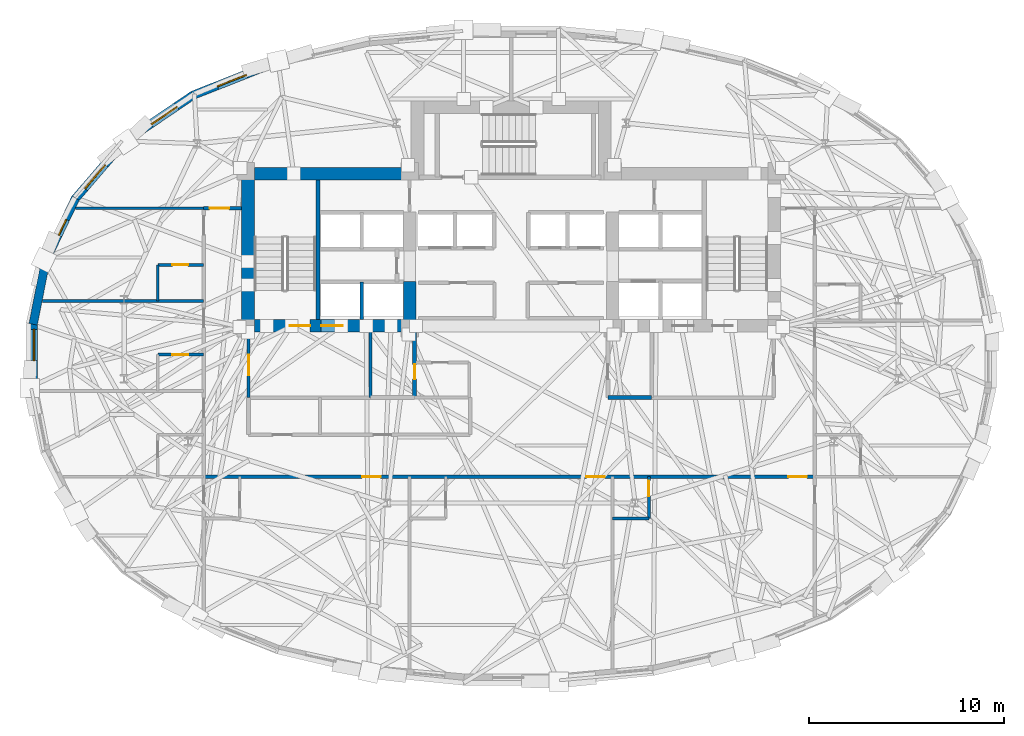
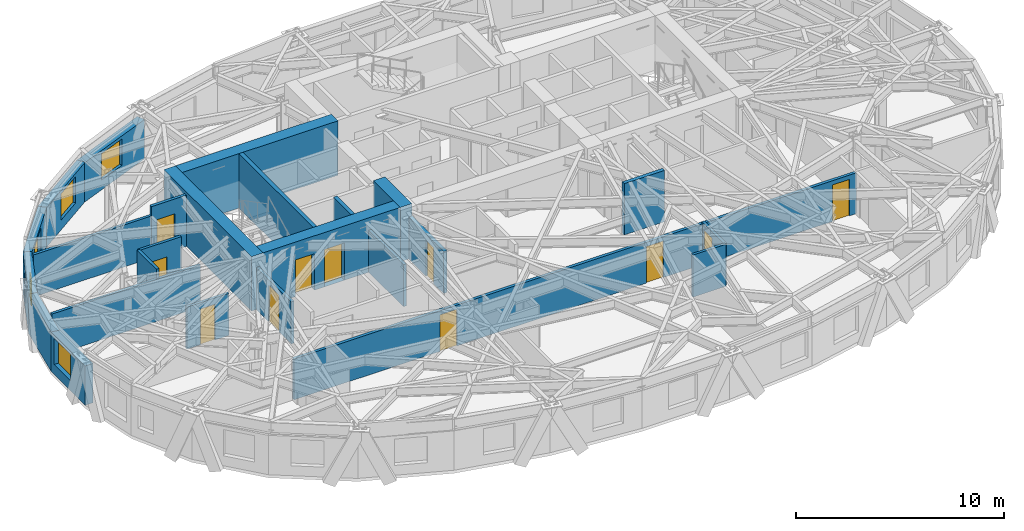
# One storey, part 7 of 14: 25 walls, 11 doors, 5 windows, 16 openings.
"""IFC4 building model written with IfcOpenShell, lengths in metres."""

from ifc_helpers import new_model, si_unit, direction, frame, frame_2d, origin, place, context, subcontext, project, spatial, rectangle, extrude, material, layer, layer_set, type_object, element, fill, save


model = new_model("IFC4")

# Units and contexts
model_context = context("Model", 3, precision=1e-05, world=origin(), true_north=direction((0.0, 1.0)))
body_context = subcontext(model_context, "Body", "Model", "MODEL_VIEW")
ifc_project = project(units=[si_unit("LENGTHUNIT", "METRE"), si_unit("AREAUNIT", "SQUARE_METRE"), si_unit("VOLUMEUNIT", "CUBIC_METRE"), si_unit("PLANEANGLEUNIT", "RADIAN"), si_unit("MASSUNIT", "GRAM", prefix="KILO")], contexts=[model_context])

# Site, building, storey
site_placement = place(None, origin())
site = spatial("IfcSite", under=ifc_project, at=site_placement, CompositionType="ELEMENT")
building_placement = place(site_placement, origin())
building = spatial("IfcBuilding", under=site, at=building_placement, Name="Keldmark Tower", CompositionType="ELEMENT")
storey_placement = place(building_placement, frame((0.0, 0.0, 153.39990234375)))
storey = spatial("IfcBuildingStorey", under=building, at=storey_placement, Name="L41", CompositionType="ELEMENT", Elevation=153.39990234375)

# Wall, opening, door
ifc_material_1 = material(Name="Type X Fire-Rated Gypsum Partition Assembly", Category="gypsum")
ifc_layer_1 = layer(ifc_material_1, 0.1650390625)
ifc_layer_set_1 = layer_set([ifc_layer_1], Name="Type X Fire-Rated Gypsum Partition Assembly")
wall_type_1 = type_object("IfcWallType", Name="Rated Partition 165 mm", PredefinedType="PARTITIONING", material=ifc_layer_set_1)
wall_1_placement = place(storey_placement, frame((-13.449951171875, -2.14990234375, 0.0), z_axis=(0.0, 0.0, 1.0), x_axis=(0.0, 1.0, 0.0)))
wall_1 = element("IfcWall", 1, at=wall_1_placement, inside=storey, type_object=wall_type_1, Name="L41 Rated Partition 165 mm FSAE-W-W", PredefinedType="PARTITIONING", context=body_context, shape_type="SweptSolid", body=[
    extrude(rectangle(XDim=3.39990234375, YDim=0.1650390625, at=frame_2d((1.699951171875, 0.0))), origin(), (0.0, 0.0, 1.0), 2.47314453125),
])
opening_1_placement = place(wall_1_placement, frame((1.14990234375, 0.0, 0.0)))
opening_1 = element("IfcOpeningElement", 2, at=opening_1_placement, cuts=wall_1, Name="Opening D-FL105", PredefinedType="OPENING", context=body_context, shape_type="SweptSolid", body=[
    extrude(rectangle(XDim=1.050048828125, YDim=2.14990234375, at=frame_2d((0.52490234375, 1.074951171875))), frame((0.0, 0.092529296875, 0.0), z_axis=(0.0, -1.0, 0.0), x_axis=(1.0, 0.0, 0.0)), (0.0, 0.0, 1.0), 0.18505859375),
])
ifc_material_2 = material(Name="Fire-Rated Mineral-Core Door and Vision Lite", Category="metal")
door_type_1 = type_object("IfcDoorType", Name="Fire Lobby Door 1050x2150", OperationType="NOTDEFINED", PredefinedType="DOOR", material=ifc_material_2)
door_1_placement = place(opening_1_placement, origin())
door_1 = element("IfcDoor", 3, at=door_1_placement, inside=storey, type_object=door_type_1, Name="L41 Fire Lobby Door 1050x2150 D-FSAEW-OUT-L41", OperationType="SINGLE_SWING_LEFT", OverallHeight=2.14990234375, OverallWidth=1.050048828125, PredefinedType="DOOR", context=body_context, shape_type="SweptSolid", body=[
    extrude(rectangle(XDim=1.050048828125, YDim=2.14990234375, at=frame_2d((0.52490234375, 1.074951171875))), frame((0.0, 0.02490234375, 0.0), z_axis=(0.0, -1.0, 0.0), x_axis=(1.0, 0.0, 0.0)), (0.0, 0.0, 1.0), 0.050048828125),
])
fill(opening_1, door_1)

# Wall
wall_2_placement = place(storey_placement, frame((-7.199951171875, -2.14990234375, 0.0), z_axis=(0.0, 0.0, 1.0), x_axis=(0.0, 1.0, 0.0)))
element("IfcWall", 4, at=wall_2_placement, inside=storey, type_object=wall_type_1, Name="L41 Rated Partition 165 mm FSAE-W-E", PredefinedType="PARTITIONING", context=body_context, shape_type="SweptSolid", body=[
    extrude(rectangle(XDim=3.39990234375, YDim=0.1650390625, at=frame_2d((1.699951171875, 0.0))), origin(), (0.0, 0.0, 1.0), 2.47314453125),
])

# Wall, openings, doors
wall_3_placement = place(storey_placement, frame((-15.75, -6.199951171875, 0.0), z_axis=(0.0, 0.0, 1.0), x_axis=(1.0, 0.0, 0.0)))
wall_3 = element("IfcWall", 5, at=wall_3_placement, inside=storey, type_object=wall_type_1, Name="L41 Rated Partition 165 mm HCOR-S", PredefinedType="PARTITIONING", context=body_context, shape_type="SweptSolid", body=[
    extrude(rectangle(XDim=31.300048828125, YDim=0.1650390625, at=frame_2d((15.64990234375, 0.0))), origin(), (0.0, 0.0, 1.0), 2.398193359375),
])
opening_2_placement = place(wall_3_placement, frame((8.1201171875, 0.0, 0.0)))
opening_2 = element("IfcOpeningElement", 6, at=opening_2_placement, cuts=wall_3, Name="Opening D-HT095", PredefinedType="OPENING", context=body_context, shape_type="SweptSolid", body=[
    extrude(rectangle(XDim=0.949951171875, YDim=2.14990234375, at=frame_2d((0.47509765625, 1.074951171875))), frame((0.0, 0.092529296875, 0.0), z_axis=(0.0, -1.0, 0.0), x_axis=(1.0, 0.0, 0.0)), (0.0, 0.0, 1.0), 0.18505859375),
])
opening_3_placement = place(wall_3_placement, frame((19.60009765625, 0.0, 0.0)))
opening_3 = element("IfcOpeningElement", 7, at=opening_3_placement, cuts=wall_3, Name="Opening D-HT095", PredefinedType="OPENING", context=body_context, shape_type="SweptSolid", body=[
    extrude(rectangle(XDim=0.949951171875, YDim=2.14990234375, at=frame_2d((0.47509765625, 1.074951171875))), frame((0.0, 0.092529296875, 0.0), z_axis=(0.0, -1.0, 0.0), x_axis=(1.0, 0.0, 0.0)), (0.0, 0.0, 1.0), 0.18505859375),
])
opening_4_placement = place(wall_3_placement, frame((29.949951171875, 0.0, 0.0)))
opening_4 = element("IfcOpeningElement", 8, at=opening_4_placement, cuts=wall_3, Name="Opening D-HT095", PredefinedType="OPENING", context=body_context, shape_type="SweptSolid", body=[
    extrude(rectangle(XDim=0.949951171875, YDim=2.14990234375, at=frame_2d((0.47509765625, 1.074951171875))), frame((0.0, 0.092529296875, 0.0), z_axis=(0.0, -1.0, 0.0), x_axis=(1.0, 0.0, 0.0)), (0.0, 0.0, 1.0), 0.18505859375),
])
ifc_material_3 = material(Name="Solid-Core Acoustic White Oak Fire-Rated Assembly", Category="wood")
door_type_2 = type_object("IfcDoorType", Name="Hotel Entry Door 950x2150", OperationType="NOTDEFINED", PredefinedType="DOOR", material=ifc_material_3)
door_2_placement = place(opening_2_placement, origin())
door_2 = element("IfcDoor", 9, at=door_2_placement, inside=storey, type_object=door_type_2, Name="L41 Hotel Entry Door 950x2150 D-HRS1-L41", OperationType="SINGLE_SWING_RIGHT", OverallHeight=2.14990234375, OverallWidth=0.949951171875, PredefinedType="DOOR", context=body_context, shape_type="SweptSolid", body=[
    extrude(rectangle(XDim=0.949951171875, YDim=2.14990234375, at=frame_2d((0.47509765625, 1.074951171875))), frame((0.0, 0.02490234375, 0.0), z_axis=(0.0, -1.0, 0.0), x_axis=(1.0, 0.0, 0.0)), (0.0, 0.0, 1.0), 0.050048828125),
])
fill(opening_2, door_2)
door_3_placement = place(opening_3_placement, origin())
door_3 = element("IfcDoor", 10, at=door_3_placement, inside=storey, type_object=door_type_2, Name="L41 Hotel Entry Door 950x2150 D-HRS2-L41", OperationType="SINGLE_SWING_LEFT", OverallHeight=2.14990234375, OverallWidth=0.949951171875, PredefinedType="DOOR", context=body_context, shape_type="SweptSolid", body=[
    extrude(rectangle(XDim=0.949951171875, YDim=2.14990234375, at=frame_2d((0.47509765625, 1.074951171875))), frame((0.0, 0.02490234375, 0.0), z_axis=(0.0, -1.0, 0.0), x_axis=(1.0, 0.0, 0.0)), (0.0, 0.0, 1.0), 0.050048828125),
])
fill(opening_3, door_3)
door_4_placement = place(opening_4_placement, origin())
door_4 = element("IfcDoor", 11, at=door_4_placement, inside=storey, type_object=door_type_2, Name="L41 Hotel Entry Door 950x2150 D-HRS3-L41", OperationType="SINGLE_SWING_RIGHT", OverallHeight=2.14990234375, OverallWidth=0.949951171875, PredefinedType="DOOR", context=body_context, shape_type="SweptSolid", body=[
    extrude(rectangle(XDim=0.949951171875, YDim=2.14990234375, at=frame_2d((0.47509765625, 1.074951171875))), frame((0.0, 0.02490234375, 0.0), z_axis=(0.0, -1.0, 0.0), x_axis=(1.0, 0.0, 0.0)), (0.0, 0.0, 1.0), 0.050048828125),
])
fill(opening_4, door_4)

# Wall, opening, door
wall_4_placement = place(storey_placement, frame((-15.75, 7.550048828125, 0.0), z_axis=(0.0, 0.0, 1.0), x_axis=(1.0, 0.0, 0.0)))
wall_4 = element("IfcWall", 12, at=wall_4_placement, inside=storey, type_object=wall_type_1, Name="L41 Rated Partition 165 mm HCOR-WN", PredefinedType="PARTITIONING", context=body_context, shape_type="SweptSolid", body=[
    extrude(rectangle(XDim=1.949951171875, YDim=0.1650390625, at=frame_2d((0.97509765625, 0.0))), origin(), (0.0, 0.0, 1.0), 3.02001953125),
])
opening_5_placement = place(wall_4_placement, frame((0.300048828125, 0.0, 0.0)))
opening_5 = element("IfcOpeningElement", 13, at=opening_5_placement, cuts=wall_4, Name="Opening D-FD100", PredefinedType="OPENING", context=body_context, shape_type="SweptSolid", body=[
    extrude(rectangle(XDim=1.0, YDim=2.14990234375, at=frame_2d((0.5, 1.074951171875))), frame((0.0, 0.092529296875, 0.0), z_axis=(0.0, -1.0, 0.0), x_axis=(1.0, 0.0, 0.0)), (0.0, 0.0, 1.0), 0.18505859375),
])
ifc_material_4 = material(Name="Hollow Metal Fire-Rated Corridor Door", Category="metal")
door_type_3 = type_object("IfcDoorType", Name="Fire Door 1000x2150", OperationType="NOTDEFINED", PredefinedType="DOOR", material=ifc_material_4)
door_5_placement = place(opening_5_placement, origin())
door_5 = element("IfcDoor", 14, at=door_5_placement, inside=storey, type_object=door_type_3, Name="L41 Fire Door 1000x2150 D-HNNW-L41", OperationType="SINGLE_SWING_LEFT", OverallHeight=2.14990234375, OverallWidth=1.0, PredefinedType="DOOR", context=body_context, shape_type="SweptSolid", body=[
    extrude(rectangle(XDim=1.0, YDim=2.14990234375, at=frame_2d((0.5, 1.074951171875))), frame((0.0, 0.02490234375, 0.0), z_axis=(0.0, -1.0, 0.0), x_axis=(1.0, 0.0, 0.0)), (0.0, 0.0, 1.0), 0.050048828125),
])
fill(opening_5, door_5)

ifc_material_5 = material(Name="Fire-Resistant Type X Gypsum Shaftliner Coreboard", Category="gypsum")
ifc_layer_2 = layer(ifc_material_5, 0.199951171875)
ifc_layer_set_2 = layer_set([ifc_layer_2], Name="Fire-Resistant Type X Gypsum Shaftliner Coreboard")
wall_type_2 = type_object("IfcWallType", Name="Shaft Wall 200 mm", PredefinedType="SOLIDWALL", material=ifc_layer_set_2)
wall_5_placement = place(storey_placement, frame((-4.949951171875, -2.14990234375, 0.0), z_axis=(0.0, 0.0, 1.0), x_axis=(0.0, 1.0, 0.0)))
wall_5 = element("IfcWall", 15, at=wall_5_placement, inside=storey, type_object=wall_type_2, Name="L41 Shaft Wall 200 mm RIS-SW-E", PredefinedType="SOLIDWALL", context=body_context, shape_type="SweptSolid", body=[
    extrude(rectangle(XDim=3.39990234375, YDim=0.199951171875, at=frame_2d((1.699951171875, 0.0))), origin(), (0.0, 0.0, 1.0), 2.47314453125),
])
opening_6_placement = place(wall_5_placement, frame((0.949951171875, 0.0, 0.0)))
opening_6 = element("IfcOpeningElement", 16, at=opening_6_placement, cuts=wall_5, Name="Opening D-RS075", PredefinedType="OPENING", context=body_context, shape_type="SweptSolid", body=[
    extrude(rectangle(XDim=0.75, YDim=2.10009765625, at=frame_2d((0.375, 1.050048828125))), frame((0.0, 0.10986328125, 0.0), z_axis=(0.0, -1.0, 0.0), x_axis=(1.0, 0.0, 0.0)), (0.0, 0.0, 1.0), 0.219970703125),
])
ifc_material_6 = material(Name="Galvanized Fire-Rated Access Leaf", Category="metal")
door_type_4 = type_object("IfcDoorType", Name="Riser Access Door 750x2100", OperationType="NOTDEFINED", PredefinedType="DOOR", material=ifc_material_6)
door_6_placement = place(opening_6_placement, origin())
door_6 = element("IfcDoor", 17, at=door_6_placement, inside=storey, type_object=door_type_4, Name="L41 Riser Access Door 750x2100 D-RISSW-L41", OperationType="SINGLE_SWING_RIGHT", OverallHeight=2.10009765625, OverallWidth=0.75, PredefinedType="DOOR", context=body_context, shape_type="SweptSolid", body=[
    extrude(rectangle(XDim=0.75, YDim=2.10009765625, at=frame_2d((0.375, 1.050048828125))), frame((0.0, 0.02490234375, 0.0), z_axis=(0.0, -1.0, 0.0), x_axis=(1.0, 0.0, 0.0)), (0.0, 0.0, 1.0), 0.050048828125),
])
fill(opening_6, door_6)

# Walls
wall_6_placement = place(storey_placement, frame((4.949951171875, -2.14990234375, 0.0), z_axis=(0.0, 0.0, 1.0), x_axis=(1.0, 0.0, 0.0)))
element("IfcWall", 18, at=wall_6_placement, inside=storey, type_object=wall_type_2, Name="L41 Shaft Wall 200 mm RIS-SE-S", PredefinedType="SOLIDWALL", context=body_context, shape_type="SweptSolid", body=[
    extrude(rectangle(XDim=2.25, YDim=0.199951171875, at=frame_2d((1.125, 0.0))), origin(), (0.0, 0.0, 1.0), 3.02001953125),
])
wall_7_placement = place(storey_placement, frame((-7.64990234375, 1.85009765625, 0.0), z_axis=(0.0, 0.0, 1.0), x_axis=(0.0, 1.0, 0.0)))
element("IfcWall", 19, at=wall_7_placement, inside=storey, type_object=wall_type_2, Name="L41 Shaft Wall 200 mm HW-W-M", PredefinedType="SOLIDWALL", context=body_context, shape_type="SweptSolid", body=[
    extrude(rectangle(XDim=1.929931640625, YDim=0.199951171875, at=frame_2d((0.96484375, 0.0))), origin(), (0.0, 0.0, 1.0), 3.02001953125),
])
ifc_material_7 = material(Name="Concrete C50/60", Category="concrete")
ifc_layer_3 = layer(ifc_material_7, 0.219970703125)
ifc_layer_set_3 = layer_set([ifc_layer_3], Name="Concrete C50/60")
wall_type_3 = type_object("IfcWallType", Name="Stair Core Shear Wall 220 mm", PredefinedType="SHEAR", material=ifc_layer_set_3)
wall_8_placement = place(storey_placement, frame((-9.889892578125, 1.85009765625, 0.0), z_axis=(0.0, 0.0, 1.0), x_axis=(0.0, 1.0, 0.0)))
element("IfcWall", 20, at=wall_8_placement, inside=storey, type_object=wall_type_3, Name="L41 West Stair Core Shear Wall", PredefinedType="SHEAR", context=body_context, shape_type="SweptSolid", body=[
    extrude(rectangle(XDim=7.14990234375, YDim=0.219970703125, at=frame_2d((3.574951171875, 0.0))), origin(), (0.0, 0.0, 1.0), 3.2001953125),
])

# Wall, opening, window
ifc_material_8 = material(Name="Ironspot Manganese Brick and Kasota Buff Limestone Spandrel Assembly", Category="masonry")
ifc_layer_4 = layer(ifc_material_8, 0.43994140625)
ifc_layer_set_4 = layer_set([ifc_layer_4], Name="Ironspot Manganese Brick and Kasota Buff Limestone Spandrel Assembly")
wall_type_4 = type_object("IfcWallType", Name="Tower Brick Pier and Spandrel Wall 440 mm", PredefinedType="STANDARD", material=ifc_layer_set_4)
wall_9_placement = place(storey_placement, frame((-16.312255859375, 13.33544921875, 0.0), z_axis=(0.0, 0.0, 1.0), x_axis=(0.930130872211, 0.367228213186, 0.0)))
wall_9 = element("IfcWall", 21, at=wall_9_placement, inside=storey, type_object=wall_type_4, Name="L41 Exterior Brick and Spandrel Wall 11", PredefinedType="STANDARD", context=body_context, shape_type="SweptSolid", body=[
    extrude(rectangle(XDim=4.686279296875, YDim=0.43994140625, at=frame_2d((2.34326171875, 0.0))), origin(), (0.0, 0.0, 1.0), 2.315185546875),
])
opening_7_placement = place(wall_9_placement, frame((1.34423828125, 0.0, 0.580078125)))
opening_7 = element("IfcOpeningElement", 22, at=opening_7_placement, cuts=wall_9, Name="Opening W-04", PredefinedType="OPENING", context=body_context, shape_type="SweptSolid", body=[
    extrude(rectangle(XDim=1.60009765625, YDim=1.550048828125, at=frame_2d((0.800048828125, 0.77490234375))), frame((0.0, 0.22998046875, 0.0), z_axis=(0.0, -1.0, 0.0), x_axis=(1.0, 0.0, 0.0)), (0.0, 0.0, 1.0), 0.4599609375),
])
ifc_material_9 = material(Name="Thermally Broken Anodized Aluminum and Triple Low-E Argon Glazing", Category="aluminium")
window_type_1 = type_object("IfcWindowType", Name="Hotel Deep-Set Operable Window 1600x1550", PartitioningType="DOUBLE_PANEL_HORIZONTAL", PredefinedType="WINDOW", material=ifc_material_9)
window_1_placement = place(opening_7_placement, origin())
window_1 = element("IfcWindow", 23, at=window_1_placement, inside=storey, type_object=window_type_1, Name="L41 Deep-Set Window 11", OverallHeight=1.550048828125, OverallWidth=1.60009765625, PartitioningType="SINGLE_PANEL", PredefinedType="WINDOW", context=body_context, shape_type="SweptSolid", body=[
    extrude(rectangle(XDim=1.60009765625, YDim=1.550048828125, at=frame_2d((0.800048828125, 0.77490234375))), frame((0.0, -0.010009765625, 0.0), z_axis=(0.0, -1.0, 0.0), x_axis=(1.0, 0.0, 0.0)), (0.0, 0.0, 1.0), 0.06005859375),
])
fill(opening_7, window_1)

wall_10_placement = place(storey_placement, frame((-19.8515625, 10.929931640625, 0.0), z_axis=(0.0, 0.0, 1.0), x_axis=(0.827746250701, 0.561102614902, 0.0)))
wall_10 = element("IfcWall", 24, at=wall_10_placement, inside=storey, type_object=wall_type_4, Name="L41 Exterior Brick and Spandrel Wall 12", PredefinedType="STANDARD", context=body_context, shape_type="SweptSolid", body=[
    extrude(rectangle(XDim=4.3271484375, YDim=0.43994140625, at=frame_2d((2.16357421875, 0.0))), origin(), (0.0, 0.0, 1.0), 2.315185546875),
])
opening_8_placement = place(wall_10_placement, frame((1.685546875, 0.0, 0.580078125)))
opening_8 = element("IfcOpeningElement", 25, at=opening_8_placement, cuts=wall_10, Name="Opening W-04", PredefinedType="OPENING", context=body_context, shape_type="SweptSolid", body=[
    extrude(rectangle(XDim=1.60009765625, YDim=1.550048828125, at=frame_2d((0.800048828125, 0.77490234375))), frame((0.0, 0.22998046875, 0.0), z_axis=(0.0, -1.0, 0.0), x_axis=(1.0, 0.0, 0.0)), (0.0, 0.0, 1.0), 0.4599609375),
])
window_2_placement = place(opening_8_placement, origin())
window_2 = element("IfcWindow", 26, at=window_2_placement, inside=storey, type_object=window_type_1, Name="L41 Deep-Set Window 12", OverallHeight=1.550048828125, OverallWidth=1.60009765625, PartitioningType="SINGLE_PANEL", PredefinedType="WINDOW", context=body_context, shape_type="SweptSolid", body=[
    extrude(rectangle(XDim=1.60009765625, YDim=1.550048828125, at=frame_2d((0.800048828125, 0.77490234375))), frame((0.0, -0.010009765625, 0.0), z_axis=(0.0, -1.0, 0.0), x_axis=(1.0, 0.0, 0.0)), (0.0, 0.0, 1.0), 0.06005859375),
])
fill(opening_8, window_2)

wall_11_placement = place(storey_placement, frame((-22.347412109375, 8.013916015625, 0.0), z_axis=(0.0, 0.0, 1.0), x_axis=(0.651797156524, 0.758393345664, 0.0)))
wall_11 = element("IfcWall", 27, at=wall_11_placement, inside=storey, type_object=wall_type_4, Name="L41 Exterior Brick and Spandrel Wall 13", PredefinedType="STANDARD", context=body_context, shape_type="SweptSolid", body=[
    extrude(rectangle(XDim=3.895751953125, YDim=0.43994140625, at=frame_2d((1.94775390625, 0.0))), origin(), (0.0, 0.0, 1.0), 2.315185546875),
])
opening_9_placement = place(wall_11_placement, frame((0.748779296875, 0.0, 0.580078125)))
opening_9 = element("IfcOpeningElement", 28, at=opening_9_placement, cuts=wall_11, Name="Opening W-04", PredefinedType="OPENING", context=body_context, shape_type="SweptSolid", body=[
    extrude(rectangle(XDim=1.60009765625, YDim=1.550048828125, at=frame_2d((0.800048828125, 0.77490234375))), frame((0.0, 0.22998046875, 0.0), z_axis=(0.0, -1.0, 0.0), x_axis=(1.0, 0.0, 0.0)), (0.0, 0.0, 1.0), 0.4599609375),
])
window_3_placement = place(opening_9_placement, origin())
window_3 = element("IfcWindow", 29, at=window_3_placement, inside=storey, type_object=window_type_1, Name="L41 Deep-Set Window 13", OverallHeight=1.550048828125, OverallWidth=1.60009765625, PartitioningType="SINGLE_PANEL", PredefinedType="WINDOW", context=body_context, shape_type="SweptSolid", body=[
    extrude(rectangle(XDim=1.60009765625, YDim=1.550048828125, at=frame_2d((0.800048828125, 0.77490234375))), frame((0.0, -0.010009765625, 0.0), z_axis=(0.0, -1.0, 0.0), x_axis=(1.0, 0.0, 0.0)), (0.0, 0.0, 1.0), 0.06005859375),
])
fill(opening_9, window_3)

wall_12_placement = place(storey_placement, frame((-23.849609375, 4.85009765625, 0.0), z_axis=(0.0, 0.0, 1.0), x_axis=(0.430899691529, 0.902399831472, 0.0)))
wall_12 = element("IfcWall", 30, at=wall_12_placement, inside=storey, type_object=wall_type_4, Name="L41 Exterior Brick and Spandrel Wall 14", PredefinedType="STANDARD", context=body_context, shape_type="SweptSolid", body=[
    extrude(rectangle(XDim=3.559814453125, YDim=0.43994140625, at=frame_2d((1.77978515625, 0.0))), origin(), (0.0, 0.0, 1.0), 2.315185546875),
])
opening_10_placement = place(wall_12_placement, frame((1.477294921875, 0.0, 0.580078125)))
opening_10 = element("IfcOpeningElement", 31, at=opening_10_placement, cuts=wall_12, Name="Opening W-09", PredefinedType="OPENING", context=body_context, shape_type="SweptSolid", body=[
    extrude(rectangle(XDim=0.89990234375, YDim=1.35009765625, at=frame_2d((0.449951171875, 0.675048828125))), frame((0.0, 0.22998046875, 0.0), z_axis=(0.0, -1.0, 0.0), x_axis=(1.0, 0.0, 0.0)), (0.0, 0.0, 1.0), 0.4599609375),
])
ifc_material_10 = material(Name="Thermally Broken Anodized Aluminum and Triple Low-E Argon Glazing", Category="aluminium")
window_type_2 = type_object("IfcWindowType", Name="Corner Pier Deep-Set Window 900x1350", PartitioningType="SINGLE_PANEL", PredefinedType="WINDOW", material=ifc_material_10)
window_4_placement = place(opening_10_placement, origin())
window_4 = element("IfcWindow", 32, at=window_4_placement, inside=storey, type_object=window_type_2, Name="L41 Deep-Set Window 14", OverallHeight=1.35009765625, OverallWidth=0.89990234375, PartitioningType="SINGLE_PANEL", PredefinedType="WINDOW", context=body_context, shape_type="SweptSolid", body=[
    extrude(rectangle(XDim=0.89990234375, YDim=1.35009765625, at=frame_2d((0.449951171875, 0.675048828125))), frame((0.0, -0.010009765625, 0.0), z_axis=(0.0, -1.0, 0.0), x_axis=(1.0, 0.0, 0.0)), (0.0, 0.0, 1.0), 0.06005859375),
])
fill(opening_10, window_4)

# Wall
wall_13_placement = place(storey_placement, frame((-24.48291015625, 1.606201171875, 0.0), z_axis=(0.0, 0.0, 1.0), x_axis=(0.193669845908, 0.981066761635, 0.0)))
element("IfcWall", 33, at=wall_13_placement, inside=storey, type_object=wall_type_4, Name="L41 Exterior Brick and Spandrel Wall 15", PredefinedType="STANDARD", context=body_context, shape_type="SweptSolid", body=[
    extrude(rectangle(XDim=3.359619140625, YDim=0.43994140625, at=frame_2d((1.6796875, 0.0))), origin(), (0.0, 0.0, 1.0), 2.315185546875),
])

# Wall, opening, window
wall_14_placement = place(storey_placement, frame((-24.478759765625, -1.64892578125, 0.0), z_axis=(0.0, 0.0, 1.0), x_axis=(0.0, 1.0, 0.0)))
wall_14 = element("IfcWall", 34, at=wall_14_placement, inside=storey, type_object=wall_type_4, Name="L41 Exterior Brick and Spandrel Wall 16", PredefinedType="STANDARD", context=body_context, shape_type="SweptSolid", body=[
    extrude(rectangle(XDim=3.2978515625, YDim=0.43994140625, at=frame_2d((1.64892578125, 0.0))), origin(), (0.0, 0.0, 1.0), 2.315185546875),
])
opening_11_placement = place(wall_14_placement, frame((1.39794921875, 0.0, 0.580078125)))
opening_11 = element("IfcOpeningElement", 35, at=opening_11_placement, cuts=wall_14, Name="Opening W-04", PredefinedType="OPENING", context=body_context, shape_type="SweptSolid", body=[
    extrude(rectangle(XDim=1.60009765625, YDim=1.550048828125, at=frame_2d((0.800048828125, 0.77490234375))), frame((0.0, 0.22998046875, 0.0), z_axis=(0.0, -1.0, 0.0), x_axis=(1.0, 0.0, 0.0)), (0.0, 0.0, 1.0), 0.4599609375),
])
window_5_placement = place(opening_11_placement, origin())
window_5 = element("IfcWindow", 36, at=window_5_placement, inside=storey, type_object=window_type_1, Name="L41 Deep-Set Window 16", OverallHeight=1.550048828125, OverallWidth=1.60009765625, PartitioningType="SINGLE_PANEL", PredefinedType="WINDOW", context=body_context, shape_type="SweptSolid", body=[
    extrude(rectangle(XDim=1.60009765625, YDim=1.550048828125, at=frame_2d((0.800048828125, 0.77490234375))), frame((0.0, -0.010009765625, 0.0), z_axis=(0.0, -1.0, 0.0), x_axis=(1.0, 0.0, 0.0)), (0.0, 0.0, 1.0), 0.06005859375),
])
fill(opening_11, window_5)

# Walls
ifc_material_11 = material(Name="Concrete C50/60", Category="concrete")
ifc_layer_5 = layer(ifc_material_11, 0.64990234375)
ifc_layer_set_5 = layer_set([ifc_layer_5], Name="Concrete C50/60")
wall_type_5 = type_object("IfcWallType", Name="Upper-Mid Core Shear Wall 650 mm", PredefinedType="SHEAR", material=ifc_layer_set_5)
wall_15_placement = place(storey_placement, frame((-13.47509765625, 1.199951171875, 0.0), z_axis=(0.0, 0.0, 1.0), x_axis=(0.0, 1.0, 0.0)))
element("IfcWall", 37, at=wall_15_placement, inside=storey, type_object=wall_type_5, Name="L41 West Core Outer Shear Wall", PredefinedType="SHEAR", context=body_context, shape_type="SweptSolid", body=[
    extrude(rectangle(XDim=8.449951171875, YDim=0.64990234375, at=frame_2d((4.22509765625, 0.0))), origin(), (0.0, 0.0, 1.0), 3.2001953125),
])
wall_16_placement = place(storey_placement, frame((-13.800048828125, 9.324951171875, 0.0), z_axis=(0.0, 0.0, 1.0), x_axis=(1.0, 0.0, 0.0)))
element("IfcWall", 38, at=wall_16_placement, inside=storey, type_object=wall_type_5, Name="L41 West Core North Shear Wall", PredefinedType="SHEAR", context=body_context, shape_type="SweptSolid", body=[
    extrude(rectangle(XDim=9.324951171875, YDim=0.64990234375, at=frame_2d((4.66259765625, 0.0))), origin(), (0.0, 0.0, 1.0), 3.2001953125),
])

# Wall, openings, doors
wall_17_placement = place(storey_placement, frame((-4.875, 1.52490234375, 0.0), z_axis=(0.0, 0.0, 1.0), x_axis=(-1.0, 0.0, 0.0)))
wall_17 = element("IfcWall", 39, at=wall_17_placement, inside=storey, type_object=wall_type_5, Name="L41 West Core South Shear Wall", PredefinedType="SHEAR", context=body_context, shape_type="SweptSolid", body=[
    extrude(rectangle(XDim=8.925048828125, YDim=0.64990234375, at=frame_2d((4.46240234375, 0.0))), origin(), (0.0, 0.0, 1.0), 3.2001953125),
])
opening_12_placement = place(wall_17_placement, frame((5.425048828125, 0.0, 0.0)))
opening_12 = element("IfcOpeningElement", 40, at=opening_12_placement, cuts=wall_17, Name="Opening D-ST105", PredefinedType="OPENING", context=body_context, shape_type="SweptSolid", body=[
    extrude(rectangle(XDim=1.050048828125, YDim=2.14990234375, at=frame_2d((0.52490234375, 1.074951171875))), frame((0.0, 0.3349609375, 0.0), z_axis=(0.0, -1.0, 0.0), x_axis=(1.0, 0.0, 0.0)), (0.0, 0.0, 1.0), 0.669921875),
])
opening_13_placement = place(wall_17_placement, frame((3.7548828125, 0.0, 0.0)))
opening_13 = element("IfcOpeningElement", 41, at=opening_13_placement, cuts=wall_17, Name="Opening LD-110", PredefinedType="OPENING", context=body_context, shape_type="SweptSolid", body=[
    extrude(rectangle(XDim=1.10009765625, YDim=2.199951171875, at=frame_2d((0.550048828125, 1.10009765625))), frame((0.0, 0.3349609375, 0.0), z_axis=(0.0, -1.0, 0.0), x_axis=(1.0, 0.0, 0.0)), (0.0, 0.0, 1.0), 0.669921875),
])
ifc_material_12 = material(Name="Brushed Bronze Hoistway Sliding Leaf", Category="metal")
door_type_5 = type_object("IfcDoorType", Name="Lift Landing Sliding Door 1100x2200", OperationType="SLIDING_TO_LEFT", PredefinedType="DOOR", material=ifc_material_12)
door_7_placement = place(opening_13_placement, origin())
door_7 = element("IfcDoor", 42, at=door_7_placement, inside=storey, type_object=door_type_5, Name="L41 Lift Landing Sliding Door 1100x2200 LD-EL-FS1-L41", OperationType="SLIDING_TO_LEFT", OverallHeight=2.199951171875, OverallWidth=1.10009765625, PredefinedType="DOOR", context=body_context, shape_type="SweptSolid", body=[
    extrude(rectangle(XDim=1.10009765625, YDim=2.199951171875, at=frame_2d((0.550048828125, 1.10009765625))), frame((0.0, 0.02490234375, 0.0), z_axis=(0.0, -1.0, 0.0), x_axis=(1.0, 0.0, 0.0)), (0.0, 0.0, 1.0), 0.050048828125),
])
fill(opening_13, door_7)
ifc_material_13 = material(Name="Hollow Metal Fire-Rated Door Assembly", Category="metal")
door_type_6 = type_object("IfcDoorType", Name="Stair Fire Door 1050x2150", OperationType="NOTDEFINED", PredefinedType="DOOR", material=ifc_material_13)
door_8_placement = place(opening_12_placement, origin())
door_8 = element("IfcDoor", 43, at=door_8_placement, inside=storey, type_object=door_type_6, Name="L41 Stair Fire Door 1050x2150 D-ST1-L41", OperationType="SINGLE_SWING_RIGHT", OverallHeight=2.14990234375, OverallWidth=1.050048828125, PredefinedType="DOOR", context=body_context, shape_type="SweptSolid", body=[
    extrude(rectangle(XDim=1.050048828125, YDim=2.14990234375, at=frame_2d((0.52490234375, 1.074951171875))), frame((0.0, 0.02490234375, 0.0), z_axis=(0.0, -1.0, 0.0), x_axis=(1.0, 0.0, 0.0)), (0.0, 0.0, 1.0), 0.050048828125),
])
fill(opening_12, door_8)

# Walls
wall_18_placement = place(storey_placement, frame((-5.199951171875, 1.199951171875, 0.0), z_axis=(0.0, 0.0, 1.0), x_axis=(0.0, 1.0, 0.0)))
element("IfcWall", 44, at=wall_18_placement, inside=storey, type_object=wall_type_5, Name="L41 West Core Inner Shear Pier South", PredefinedType="SHEAR", context=body_context, shape_type="SweptSolid", body=[
    extrude(rectangle(XDim=2.60009765625, YDim=0.64990234375, at=frame_2d((1.300048828125, 0.0))), origin(), (0.0, 0.0, 1.0), 3.2001953125),
])
ifc_material_14 = material(Name="Moisture-Resistant Gypsum Plumbing Partition", Category="gypsum")
ifc_layer_6 = layer(ifc_material_14, 0.14990234375)
ifc_layer_set_6 = layer_set([ifc_layer_6], Name="Moisture-Resistant Gypsum Plumbing Partition")
wall_type_6 = type_object("IfcWallType", Name="Wet Wall 150 mm", PredefinedType="PLUMBINGWALL", material=ifc_layer_set_6)
wall_19_placement = place(storey_placement, frame((-22.3076171875, 7.550048828125, 0.0), z_axis=(0.0, 0.0, 1.0), x_axis=(1.0, 0.0, 0.0)))
element("IfcWall", 45, at=wall_19_placement, inside=storey, type_object=wall_type_6, Name="L41 Wet Wall 150 mm HW-CAP-N", PredefinedType="PLUMBINGWALL", context=body_context, shape_type="SweptSolid", body=[
    extrude(rectangle(XDim=6.5576171875, YDim=0.14990234375, at=frame_2d((3.27880859375, 0.0))), origin(), (0.0, 0.0, 1.0), 2.47314453125),
])

# Wall, opening, door
wall_20_placement = place(storey_placement, frame((7.050048828125, -8.35009765625, 0.0), z_axis=(0.0, 0.0, 1.0), x_axis=(0.0, 1.0, 0.0)))
wall_20 = element("IfcWall", 46, at=wall_20_placement, inside=storey, type_object=wall_type_6, Name="L41 Wet Wall 150 mm HB-S3-E", PredefinedType="PLUMBINGWALL", context=body_context, shape_type="SweptSolid", body=[
    extrude(rectangle(XDim=2.150146484375, YDim=0.14990234375, at=frame_2d((1.0751953125, 0.0))), origin(), (0.0, 0.0, 1.0), 2.47314453125),
])
opening_14_placement = place(wall_20_placement, frame((1.14990234375, 0.0, 0.0)))
opening_14 = element("IfcOpeningElement", 47, at=opening_14_placement, cuts=wall_20, Name="Opening D-BT080", PredefinedType="OPENING", context=body_context, shape_type="SweptSolid", body=[
    extrude(rectangle(XDim=0.800048828125, YDim=2.10009765625, at=frame_2d((0.39990234375, 1.050048828125))), frame((0.0, 0.0849609375, 0.0), z_axis=(0.0, -1.0, 0.0), x_axis=(1.0, 0.0, 0.0)), (0.0, 0.0, 1.0), 0.169921875),
])
ifc_material_15 = material(Name="Moisture-Sealed Stained Wood", Category="wood")
door_type_7 = type_object("IfcDoorType", Name="Bathroom Door 800x2100", OperationType="NOTDEFINED", PredefinedType="DOOR", material=ifc_material_15)
door_9_placement = place(opening_14_placement, origin())
door_9 = element("IfcDoor", 48, at=door_9_placement, inside=storey, type_object=door_type_7, Name="L41 Bathroom Door 800x2100 D-HBS3-L41", OperationType="SINGLE_SWING_RIGHT", OverallHeight=2.10009765625, OverallWidth=0.800048828125, PredefinedType="DOOR", context=body_context, shape_type="SweptSolid", body=[
    extrude(rectangle(XDim=0.800048828125, YDim=2.10009765625, at=frame_2d((0.39990234375, 1.050048828125))), frame((0.0, 0.02490234375, 0.0), z_axis=(0.0, -1.0, 0.0), x_axis=(1.0, 0.0, 0.0)), (0.0, 0.0, 1.0), 0.050048828125),
])
fill(opening_14, door_9)

# Walls
wall_21_placement = place(storey_placement, frame((5.199951171875, -8.35009765625, 0.0), z_axis=(0.0, 0.0, 1.0), x_axis=(1.0, 0.0, 0.0)))
element("IfcWall", 49, at=wall_21_placement, inside=storey, type_object=wall_type_6, Name="L41 Wet Wall 150 mm HB-S3-S", PredefinedType="PLUMBINGWALL", context=body_context, shape_type="SweptSolid", body=[
    extrude(rectangle(XDim=1.85009765625, YDim=0.14990234375, at=frame_2d((0.925048828125, 0.0))), origin(), (0.0, 0.0, 1.0), 2.47314453125),
])
wall_22_placement = place(storey_placement, frame((-24.014892578125, 2.800048828125, 0.0), z_axis=(0.0, 0.0, 1.0), x_axis=(1.0, 0.0, 0.0)))
element("IfcWall", 50, at=wall_22_placement, inside=storey, type_object=wall_type_6, Name="L41 Wet Wall 150 mm HW-DIV-2", PredefinedType="PLUMBINGWALL", context=body_context, shape_type="SweptSolid", body=[
    extrude(rectangle(XDim=8.264892578125, YDim=0.14990234375, at=frame_2d((4.13232421875, 0.0))), origin(), (0.0, 0.0, 1.0), 2.47314453125),
])

# Wall, opening, door
wall_23_placement = place(storey_placement, frame((-18.10009765625, 0.050048828125, 0.0), z_axis=(0.0, 0.0, 1.0), x_axis=(1.0, 0.0, 0.0)))
wall_23 = element("IfcWall", 51, at=wall_23_placement, inside=storey, type_object=wall_type_6, Name="L41 Wet Wall 150 mm HB-5-N", PredefinedType="PLUMBINGWALL", context=body_context, shape_type="SweptSolid", body=[
    extrude(rectangle(XDim=2.35009765625, YDim=0.14990234375, at=frame_2d((1.175048828125, 0.0))), origin(), (0.0, 0.0, 1.0), 2.47314453125),
])
opening_15_placement = place(wall_23_placement, frame((0.75, 0.0, 0.0)))
opening_15 = element("IfcOpeningElement", 52, at=opening_15_placement, cuts=wall_23, Name="Opening D-BT080", PredefinedType="OPENING", context=body_context, shape_type="SweptSolid", body=[
    extrude(rectangle(XDim=0.800048828125, YDim=2.10009765625, at=frame_2d((0.39990234375, 1.050048828125))), frame((0.0, 0.0849609375, 0.0), z_axis=(0.0, -1.0, 0.0), x_axis=(1.0, 0.0, 0.0)), (0.0, 0.0, 1.0), 0.169921875),
])
door_10_placement = place(opening_15_placement, origin())
door_10 = element("IfcDoor", 53, at=door_10_placement, inside=storey, type_object=door_type_7, Name="L41 Bathroom Door 800x2100 D-HB-5-L41", OperationType="SINGLE_SWING_LEFT", OverallHeight=2.10009765625, OverallWidth=0.800048828125, PredefinedType="DOOR", context=body_context, shape_type="SweptSolid", body=[
    extrude(rectangle(XDim=0.800048828125, YDim=2.10009765625, at=frame_2d((0.39990234375, 1.050048828125))), frame((0.0, 0.02490234375, 0.0), z_axis=(0.0, -1.0, 0.0), x_axis=(1.0, 0.0, 0.0)), (0.0, 0.0, 1.0), 0.050048828125),
])
fill(opening_15, door_10)

wall_24_placement = place(storey_placement, frame((-18.10009765625, 4.64990234375, 0.0), z_axis=(0.0, 0.0, 1.0), x_axis=(1.0, 0.0, 0.0)))
wall_24 = element("IfcWall", 54, at=wall_24_placement, inside=storey, type_object=wall_type_6, Name="L41 Wet Wall 150 mm HB-6-N", PredefinedType="PLUMBINGWALL", context=body_context, shape_type="SweptSolid", body=[
    extrude(rectangle(XDim=2.35009765625, YDim=0.14990234375, at=frame_2d((1.175048828125, 0.0))), origin(), (0.0, 0.0, 1.0), 3.02001953125),
])
opening_16_placement = place(wall_24_placement, frame((0.75, 0.0, 0.0)))
opening_16 = element("IfcOpeningElement", 55, at=opening_16_placement, cuts=wall_24, Name="Opening D-BT080", PredefinedType="OPENING", context=body_context, shape_type="SweptSolid", body=[
    extrude(rectangle(XDim=0.800048828125, YDim=2.10009765625, at=frame_2d((0.39990234375, 1.050048828125))), frame((0.0, 0.0849609375, 0.0), z_axis=(0.0, -1.0, 0.0), x_axis=(1.0, 0.0, 0.0)), (0.0, 0.0, 1.0), 0.169921875),
])
door_11_placement = place(opening_16_placement, origin())
door_11 = element("IfcDoor", 56, at=door_11_placement, inside=storey, type_object=door_type_7, Name="L41 Bathroom Door 800x2100 D-HB-6-L41", OperationType="SINGLE_SWING_LEFT", OverallHeight=2.10009765625, OverallWidth=0.800048828125, PredefinedType="DOOR", context=body_context, shape_type="SweptSolid", body=[
    extrude(rectangle(XDim=0.800048828125, YDim=2.10009765625, at=frame_2d((0.39990234375, 1.050048828125))), frame((0.0, 0.02490234375, 0.0), z_axis=(0.0, -1.0, 0.0), x_axis=(1.0, 0.0, 0.0)), (0.0, 0.0, 1.0), 0.050048828125),
])
fill(opening_16, door_11)

# Wall
wall_25_placement = place(storey_placement, frame((-18.10009765625, 2.800048828125, 0.0), z_axis=(0.0, 0.0, 1.0), x_axis=(0.0, 1.0, 0.0)))
element("IfcWall", 57, at=wall_25_placement, inside=storey, type_object=wall_type_6, Name="L41 Wet Wall 150 mm HB-6-IN", PredefinedType="PLUMBINGWALL", context=body_context, shape_type="SweptSolid", body=[
    extrude(rectangle(XDim=1.849853515625, YDim=0.14990234375, at=frame_2d((0.9248046875, 0.0))), origin(), (0.0, 0.0, 1.0), 3.02001953125),
])

save(model, "model.ifc")
